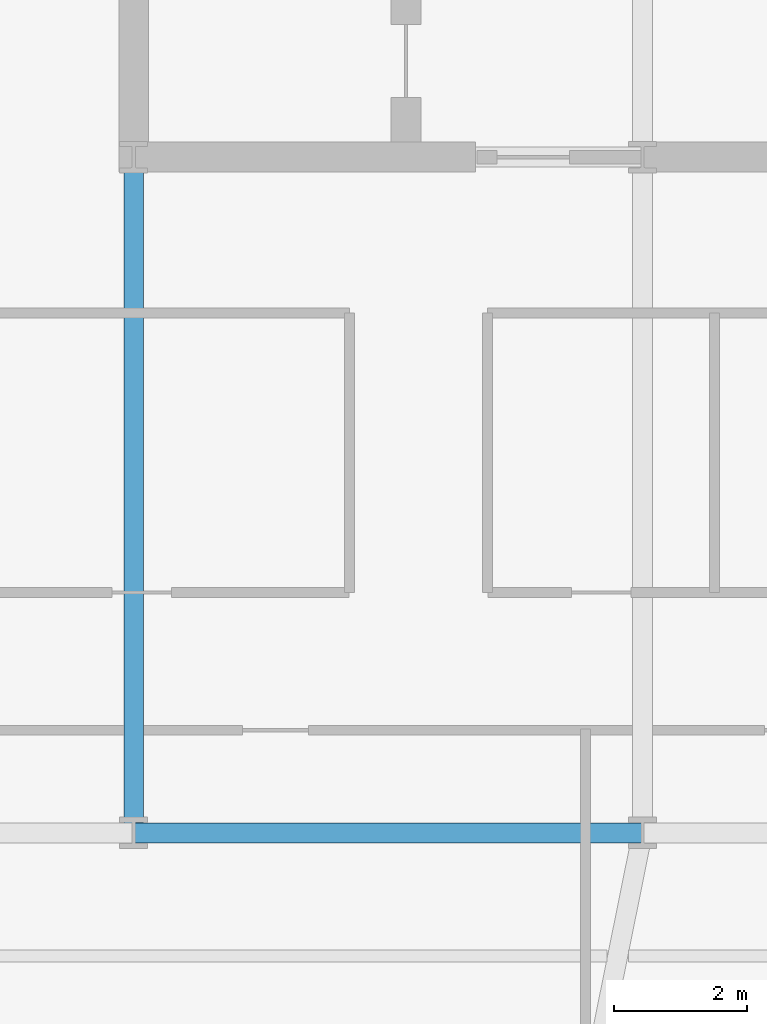
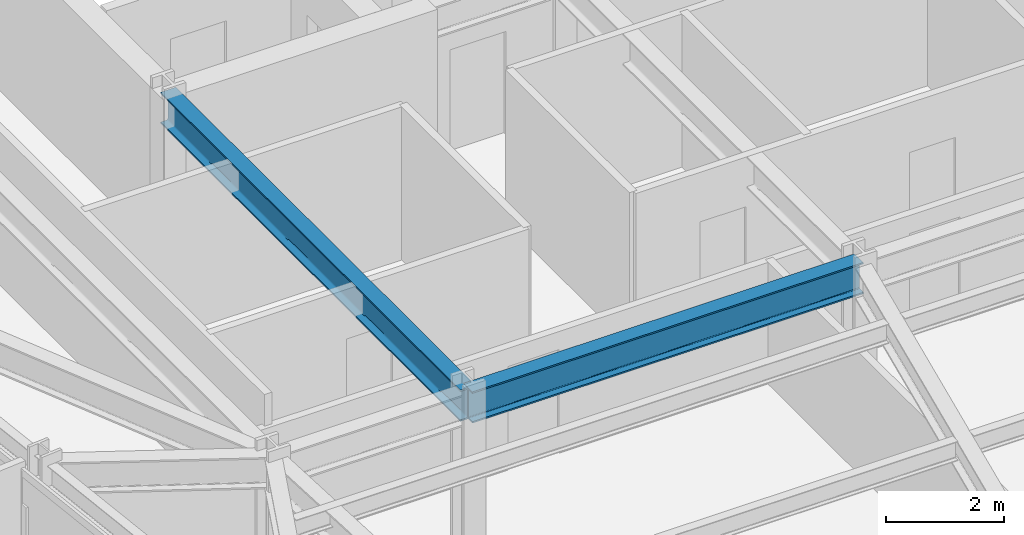
# One storey, part 7 of 33: 2 beams.
"""IFC4 building model written with IfcOpenShell, lengths in metres."""

from ifc_helpers import new_model, si_unit, direction, frame, origin, origin_2d, place, context, subcontext, project, spatial, i_section, extrude, material, material_profile, profile_set, type_object, element, save


model = new_model("IFC4")

# Units and contexts
model_context = context("Model", 3, precision=1e-05, world=origin(), true_north=direction((0.0, 1.0)))
body_context = subcontext(model_context, "Body", "Model", "MODEL_VIEW")
ifc_project = project(units=[si_unit("LENGTHUNIT", "METRE"), si_unit("AREAUNIT", "SQUARE_METRE"), si_unit("VOLUMEUNIT", "CUBIC_METRE"), si_unit("PLANEANGLEUNIT", "RADIAN"), si_unit("MASSUNIT", "GRAM", prefix="KILO")], contexts=[model_context])

# Site, building, storey
site_placement = place(None, origin())
site = spatial("IfcSite", under=ifc_project, at=site_placement, CompositionType="ELEMENT")
building_placement = place(site_placement, origin())
building = spatial("IfcBuilding", under=site, at=building_placement, Name="Yelkora Congress Tower", CompositionType="ELEMENT")
storey_placement = place(building_placement, frame((0.0, 0.0, 110.10009765625)))
storey = spatial("IfcBuildingStorey", under=building, at=storey_placement, Name="L29", CompositionType="ELEMENT", Elevation=110.10009765625)

# Beams
ifc_material = material(Name="Steel S355J2", Category="steel")
ifc_material_profile = material_profile(ifc_material, i_section(OverallWidth=0.300048828125, OverallDepth=0.64990234375, WebThickness=0.01611328125, FlangeThickness=0.031005859375, FilletRadius=0.027099609375, at=origin_2d()), Name="HEB 650")
ifc_profile_set = profile_set([ifc_material_profile], Name="Steel S355J2")
beam_type = type_object("IfcBeamType", Name="BM-GIRD-HEB650", PredefinedType="BEAM", material=ifc_profile_set)
beam_1_placement = place(storey_placement, frame((23.0400390625, 25.199951171875, 2.85498046875), z_axis=(1.0, 0.0, 0.0), x_axis=(0.0, 1.0, 0.0)))
element("IfcBeam", 1, at=beam_1_placement, inside=storey, type_object=beam_type, Name="L29 Spine Grid D Girder 2", PredefinedType="BEAM", context=body_context, shape_type="SweptSolid", body=[
    extrude(i_section(OverallWidth=0.300048828125, OverallDepth=0.64990234375, WebThickness=0.01611328125, FlangeThickness=0.031005859375, FilletRadius=0.027099609375, at=origin_2d()), origin(), (0.0, 0.0, 1.0), 7.679931640625),
])
beam_2_placement = place(storey_placement, frame((23.0400390625, 25.199951171875, 2.85498046875), z_axis=(0.0, 1.0, 0.0), x_axis=(-1.0, 0.0, 0.0)))
element("IfcBeam", 2, at=beam_2_placement, inside=storey, type_object=beam_type, Name="L29 Core Tie Girder MC-D1", PredefinedType="BEAM", context=body_context, shape_type="SweptSolid", body=[
    extrude(i_section(OverallWidth=0.300048828125, OverallDepth=0.64990234375, WebThickness=0.01611328125, FlangeThickness=0.031005859375, FilletRadius=0.027099609375, at=origin_2d()), origin(), (0.0, 0.0, 1.0), 10.199951171875),
])

save(model, "model.ifc")
